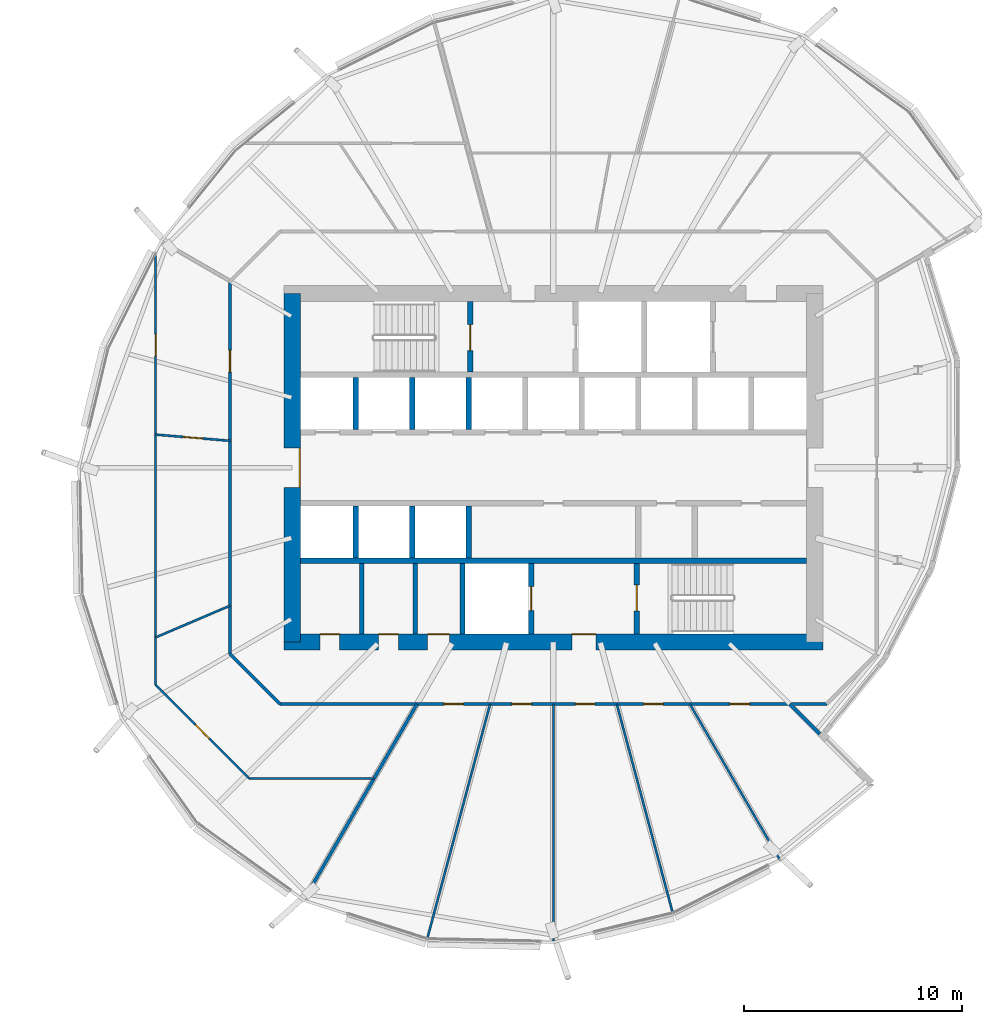
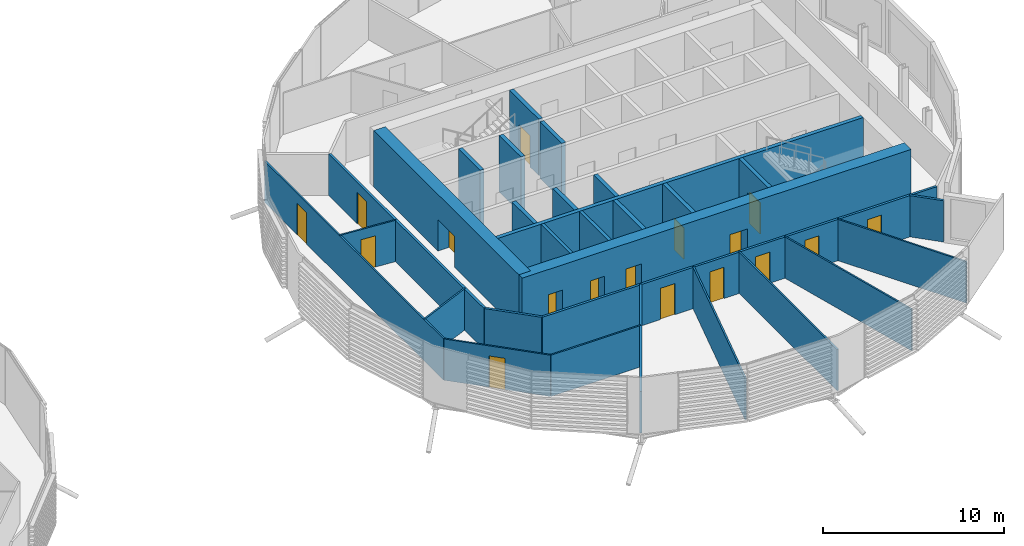
# One storey, part 23 of 38: 29 walls, 17 doors, 17 openings.
"""IFC4 building model written with IfcOpenShell, lengths in metres."""

from ifc_helpers import new_model, si_unit, direction, frame, frame_2d, origin, place, context, subcontext, project, spatial, rectangle, extrude, material, layer, layer_set, type_object, element, fill, save


model = new_model("IFC4")

# Units and contexts
model_context = context("Model", 3, precision=1e-05, world=origin(), true_north=direction((0.0, 1.0)))
body_context = subcontext(model_context, "Body", "Model", "MODEL_VIEW")
ifc_project = project(units=[si_unit("LENGTHUNIT", "METRE"), si_unit("AREAUNIT", "SQUARE_METRE"), si_unit("VOLUMEUNIT", "CUBIC_METRE"), si_unit("PLANEANGLEUNIT", "RADIAN"), si_unit("MASSUNIT", "GRAM", prefix="KILO")], contexts=[model_context])

# Site, building, storey
site_placement = place(None, origin())
site = spatial("IfcSite", under=ifc_project, at=site_placement, CompositionType="ELEMENT")
building_placement = place(site_placement, origin())
building = spatial("IfcBuilding", under=site, at=building_placement, Name="Rimbun Link Towers", CompositionType="ELEMENT")
storey_placement = place(building_placement, frame((0.0, 0.0, 119.60009765625)))
storey = spatial("IfcBuildingStorey", under=building, at=storey_placement, Name="L29", CompositionType="ELEMENT", Elevation=119.60009765625)

# Walls
ifc_material_1 = material(Name="Masonry blockwork", Category="masonry")
ifc_layer_1 = layer(ifc_material_1, 0.199951171875)
ifc_layer_set_1 = layer_set([ifc_layer_1], Name="Core partition 200")
wall_type_1 = type_object("IfcWallType", Name="Core partition 200", PredefinedType="PARTITIONING", material=ifc_layer_set_1)
for number, where, z_axis, x_axis, name in (
    (1, (22.949951171875, -4.39990234375, 0.0), (0.0, 0.0, 1.0), (0.0, -1.0, 0.0), "L29 T2 core wall C1"),
    (2, (25.39990234375, -4.39990234375, 0.0), (0.0, 0.0, 1.0), (0.0, -1.0, 0.0), "L29 T2 core wall C2"),
):
    element("IfcWall", number, at=place(storey_placement, frame(where, z_axis=z_axis, x_axis=x_axis)), inside=storey, type_object=wall_type_1, Name=name, PredefinedType="PARTITIONING", context=body_context, shape_type="SweptSolid", body=[
        extrude(rectangle(XDim=3.22509765625, YDim=0.199951171875, at=frame_2d((1.612548828125, 0.0))), origin(), (0.0, 0.0, 1.0), 3.7998046875),
    ])

# Wall, openings, doors
ifc_material_2 = material(Name="Concrete C60/75", Category="concrete")
ifc_layer_2 = layer(ifc_material_2, 0.75)
ifc_layer_set_2 = layer_set([ifc_layer_2], Name="Core shear wall 750")
wall_type_2 = type_object("IfcWallType", Name="Core shear wall 750", PredefinedType="SHEAR", material=ifc_layer_set_2)
wall_1_placement = place(storey_placement, frame((19.375, -8.0, 0.0), z_axis=(0.0, 0.0, 1.0), x_axis=(1.0, 0.0, 0.0)))
wall_1 = element("IfcWall", 3, at=wall_1_placement, inside=storey, type_object=wall_type_2, Name="L29 T2 core wall S", PredefinedType="SHEAR", context=body_context, shape_type="SweptSolid", body=[
    extrude(rectangle(XDim=24.75, YDim=0.75, at=frame_2d((12.375, 0.0))), origin(), (0.0, 0.0, 1.0), 3.7998046875),
])
opening_1_placement = place(wall_1_placement, frame((13.22509765625, 0.0, 0.0)))
opening_1 = element("IfcOpeningElement", 4, at=opening_1_placement, cuts=wall_1, Name="Opening C2DCF01S", PredefinedType="OPENING", context=body_context, shape_type="SweptSolid", body=[
    extrude(rectangle(XDim=1.10009765625, YDim=2.10009765625, at=frame_2d((0.550048828125, 1.050048828125))), frame((0.0, 0.385009765625, 0.0), z_axis=(0.0, -1.0, 0.0), x_axis=(1.0, 0.0, 0.0)), (0.0, 0.0, 1.0), 0.77001953125),
])
opening_2_placement = place(wall_1_placement, frame((1.66259765625, 0.0, 0.0)))
opening_2 = element("IfcOpeningElement", 5, at=opening_2_placement, cuts=wall_1, Name="Opening C2DWC02S", PredefinedType="OPENING", context=body_context, shape_type="SweptSolid", body=[
    extrude(rectangle(XDim=0.89990234375, YDim=2.10009765625, at=frame_2d((0.449951171875, 1.050048828125))), frame((0.0, 0.385009765625, 0.0), z_axis=(0.0, -1.0, 0.0), x_axis=(1.0, 0.0, 0.0)), (0.0, 0.0, 1.0), 0.77001953125),
])
opening_3_placement = place(wall_1_placement, frame((4.35009765625, 0.0, 0.0)))
opening_3 = element("IfcOpeningElement", 6, at=opening_3_placement, cuts=wall_1, Name="Opening C2DWC03S", PredefinedType="OPENING", context=body_context, shape_type="SweptSolid", body=[
    extrude(rectangle(XDim=0.89990234375, YDim=2.10009765625, at=frame_2d((0.449951171875, 1.050048828125))), frame((0.0, 0.385009765625, 0.0), z_axis=(0.0, -1.0, 0.0), x_axis=(1.0, 0.0, 0.0)), (0.0, 0.0, 1.0), 0.77001953125),
])
opening_4_placement = place(wall_1_placement, frame((6.60009765625, 0.0, 0.0)))
opening_4 = element("IfcOpeningElement", 7, at=opening_4_placement, cuts=wall_1, Name="Opening C2DAW04S", PredefinedType="OPENING", context=body_context, shape_type="SweptSolid", body=[
    extrude(rectangle(XDim=1.0, YDim=2.10009765625, at=frame_2d((0.5, 1.050048828125))), frame((0.0, 0.385009765625, 0.0), z_axis=(0.0, -1.0, 0.0), x_axis=(1.0, 0.0, 0.0)), (0.0, 0.0, 1.0), 0.77001953125),
])
ifc_material_3 = material(Name="Timber", Category="wood")
door_type_1 = type_object("IfcDoorType", Name="Accessible WC door", OperationType="SINGLE_SWING_LEFT", PredefinedType="DOOR", material=ifc_material_3)
door_1_placement = place(opening_4_placement, origin())
door_1 = element("IfcDoor", 8, at=door_1_placement, inside=storey, type_object=door_type_1, Name="L29 T2 accessible wc door", OperationType="SINGLE_SWING_RIGHT", OverallHeight=2.10009765625, OverallWidth=1.0, PredefinedType="DOOR", context=body_context, shape_type="SweptSolid", body=[
    extrude(rectangle(XDim=1.0, YDim=2.10009765625, at=frame_2d((0.5, 1.050048828125))), frame((0.0, 0.375, 0.0), z_axis=(0.0, -1.0, 0.0), x_axis=(1.0, 0.0, 0.0)), (0.0, 0.0, 1.0), 0.050048828125),
])
fill(opening_4, door_1)
ifc_material_4 = material(Name="Steel fire door set", Category="steel")
door_type_2 = type_object("IfcDoorType", Name="Core fire door single", OperationType="SINGLE_SWING_LEFT", PredefinedType="DOOR", material=ifc_material_4)
door_2_placement = place(opening_1_placement, origin())
door_2 = element("IfcDoor", 9, at=door_2_placement, inside=storey, type_object=door_type_2, Name="L29 T2 firefighting lobby s door", OperationType="SINGLE_SWING_RIGHT", OverallHeight=2.10009765625, OverallWidth=1.10009765625, PredefinedType="DOOR", context=body_context, shape_type="SweptSolid", body=[
    extrude(rectangle(XDim=1.10009765625, YDim=2.10009765625, at=frame_2d((0.550048828125, 1.050048828125))), frame((0.0, 0.375, 0.0), z_axis=(0.0, -1.0, 0.0), x_axis=(1.0, 0.0, 0.0)), (0.0, 0.0, 1.0), 0.050048828125),
])
fill(opening_1, door_2)
ifc_material_5 = material(Name="Timber", Category="wood")
door_type_3 = type_object("IfcDoorType", Name="WC door", OperationType="SINGLE_SWING_LEFT", PredefinedType="DOOR", material=ifc_material_5)
door_3_placement = place(opening_2_placement, origin())
door_3 = element("IfcDoor", 10, at=door_3_placement, inside=storey, type_object=door_type_3, Name="L29 T2 male wc door", OperationType="SINGLE_SWING_RIGHT", OverallHeight=2.10009765625, OverallWidth=0.89990234375, PredefinedType="DOOR", context=body_context, shape_type="SweptSolid", body=[
    extrude(rectangle(XDim=0.89990234375, YDim=2.10009765625, at=frame_2d((0.449951171875, 1.050048828125))), frame((0.0, 0.375, 0.0), z_axis=(0.0, -1.0, 0.0), x_axis=(1.0, 0.0, 0.0)), (0.0, 0.0, 1.0), 0.050048828125),
])
fill(opening_2, door_3)
door_4_placement = place(opening_3_placement, origin())
door_4 = element("IfcDoor", 11, at=door_4_placement, inside=storey, type_object=door_type_3, Name="L29 T2 female wc door", OperationType="SINGLE_SWING_LEFT", OverallHeight=2.10009765625, OverallWidth=0.89990234375, PredefinedType="DOOR", context=body_context, shape_type="SweptSolid", body=[
    extrude(rectangle(XDim=0.89990234375, YDim=2.10009765625, at=frame_2d((0.449951171875, 1.050048828125))), frame((0.0, 0.375, 0.0), z_axis=(0.0, -1.0, 0.0), x_axis=(1.0, 0.0, 0.0)), (0.0, 0.0, 1.0), 0.050048828125),
])
fill(opening_3, door_4)

# Wall, opening, door
wall_2_placement = place(storey_placement, frame((19.75, -8.0, 0.0), z_axis=(0.0, 0.0, 1.0), x_axis=(0.0, 1.0, 0.0)))
wall_2 = element("IfcWall", 12, at=wall_2_placement, inside=storey, type_object=wall_type_2, Name="L29 T2 core wall W", PredefinedType="SHEAR", context=body_context, shape_type="SweptSolid", body=[
    extrude(rectangle(XDim=16.0, YDim=0.75, at=frame_2d((8.0, 0.0))), origin(), (0.0, 0.0, 1.0), 3.7998046875),
])
opening_5_placement = place(wall_2_placement, frame((7.10009765625, 0.0, 0.0)))
opening_5 = element("IfcOpeningElement", 13, at=opening_5_placement, cuts=wall_2, Name="Opening C2DCL01W", PredefinedType="OPENING", context=body_context, shape_type="SweptSolid", body=[
    extrude(rectangle(XDim=1.800048828125, YDim=2.10009765625, at=frame_2d((0.89990234375, 1.050048828125))), frame((0.0, 0.385009765625, 0.0), z_axis=(0.0, -1.0, 0.0), x_axis=(1.0, 0.0, 0.0)), (0.0, 0.0, 1.0), 0.77001953125),
])
ifc_material_6 = material(Name="Steel fire door set", Category="steel")
door_type_4 = type_object("IfcDoorType", Name="Core lobby door double", OperationType="DOUBLE_DOOR_SINGLE_SWING", PredefinedType="DOOR", material=ifc_material_6)
door_5_placement = place(opening_5_placement, origin())
door_5 = element("IfcDoor", 14, at=door_5_placement, inside=storey, type_object=door_type_4, Name="L29 T2 lift lobby door", OperationType="DOUBLE_DOOR_SINGLE_SWING", OverallHeight=2.10009765625, OverallWidth=1.800048828125, PredefinedType="DOOR", context=body_context, shape_type="SweptSolid", body=[
    extrude(rectangle(XDim=1.800048828125, YDim=2.10009765625, at=frame_2d((0.89990234375, 1.050048828125))), frame((0.0, -0.3251953125, 0.0), z_axis=(0.0, -1.0, 0.0), x_axis=(1.0, 0.0, 0.0)), (0.0, 0.0, 1.0), 0.050048828125),
])
fill(opening_5, door_5)

# Wall, openings, doors
ifc_material_7 = material(Name="Plasterboard on steel stud, mineral wool", Category="steel")
ifc_layer_3 = layer(ifc_material_7, 0.14990234375)
ifc_layer_set_3 = layer_set([ifc_layer_3], Name="Corridor wall EI 30 150 mm")
wall_type_3 = type_object("IfcWallType", Name="Corridor wall EI 30 150 mm", PredefinedType="PARTITIONING", material=ifc_layer_set_3)
wall_3_placement = place(storey_placement, frame((44.3017578125, -10.85009765625, 0.0), z_axis=(0.0, 0.0, 1.0), x_axis=(-1.0, 0.0, 0.0)))
wall_3 = element("IfcWall", 15, at=wall_3_placement, inside=storey, type_object=wall_type_3, Name="Corridor wall EI 30 150 mm", PredefinedType="PARTITIONING", context=body_context, shape_type="SweptSolid", body=[
    extrude(rectangle(XDim=25.103515625, YDim=0.14990234375, at=frame_2d((12.5517578125, 0.0))), origin(), (0.0, 0.0, 1.0), 2.77880859375),
])
opening_6_placement = place(wall_3_placement, frame((16.6875, 0.0, 0.0)))
opening_6 = element("IfcOpeningElement", 16, at=opening_6_placement, cuts=wall_3, Name="Opening D02", PredefinedType="OPENING", context=body_context, shape_type="SweptSolid", body=[
    extrude(rectangle(XDim=0.89990234375, YDim=2.10009765625, at=frame_2d((0.449951171875, 1.050048828125))), frame((0.0, 0.0849609375, 0.0), z_axis=(0.0, -1.0, 0.0), x_axis=(1.0, 0.0, 0.0)), (0.0, 0.0, 1.0), 0.169921875),
])
opening_7_placement = place(wall_3_placement, frame((13.555419921875, 0.0, 0.0)))
opening_7 = element("IfcOpeningElement", 17, at=opening_7_placement, cuts=wall_3, Name="Opening D02", PredefinedType="OPENING", context=body_context, shape_type="SweptSolid", body=[
    extrude(rectangle(XDim=0.89990234375, YDim=2.10009765625, at=frame_2d((0.449951171875, 1.050048828125))), frame((0.0, 0.0849609375, 0.0), z_axis=(0.0, -1.0, 0.0), x_axis=(1.0, 0.0, 0.0)), (0.0, 0.0, 1.0), 0.169921875),
])
opening_8_placement = place(wall_3_placement, frame((10.648193359375, 0.0, 0.0)))
opening_8 = element("IfcOpeningElement", 18, at=opening_8_placement, cuts=wall_3, Name="Opening D02", PredefinedType="OPENING", context=body_context, shape_type="SweptSolid", body=[
    extrude(rectangle(XDim=0.89990234375, YDim=2.10009765625, at=frame_2d((0.449951171875, 1.050048828125))), frame((0.0, 0.0849609375, 0.0), z_axis=(0.0, -1.0, 0.0), x_axis=(1.0, 0.0, 0.0)), (0.0, 0.0, 1.0), 0.169921875),
])
opening_9_placement = place(wall_3_placement, frame((7.515869140625, 0.0, 0.0)))
opening_9 = element("IfcOpeningElement", 19, at=opening_9_placement, cuts=wall_3, Name="Opening D02", PredefinedType="OPENING", context=body_context, shape_type="SweptSolid", body=[
    extrude(rectangle(XDim=0.89990234375, YDim=2.10009765625, at=frame_2d((0.449951171875, 1.050048828125))), frame((0.0, 0.0849609375, 0.0), z_axis=(0.0, -1.0, 0.0), x_axis=(1.0, 0.0, 0.0)), (0.0, 0.0, 1.0), 0.169921875),
])
opening_10_placement = place(wall_3_placement, frame((3.544677734375, 0.0, 0.0)))
opening_10 = element("IfcOpeningElement", 20, at=opening_10_placement, cuts=wall_3, Name="Opening D02", PredefinedType="OPENING", context=body_context, shape_type="SweptSolid", body=[
    extrude(rectangle(XDim=0.89990234375, YDim=2.10009765625, at=frame_2d((0.449951171875, 1.050048828125))), frame((0.0, 0.0849609375, 0.0), z_axis=(0.0, -1.0, 0.0), x_axis=(1.0, 0.0, 0.0)), (0.0, 0.0, 1.0), 0.169921875),
])
ifc_material_8 = material(Name="Fire-resisting timber door leaf", Category="wood")
door_type_5 = type_object("IfcDoorType", Name="Fire door FD30S 900", OperationType="NOTDEFINED", PredefinedType="DOOR", material=ifc_material_8)
door_6_placement = place(opening_6_placement, origin())
door_6 = element("IfcDoor", 21, at=door_6_placement, inside=storey, type_object=door_type_5, Name="Fire door FD30S 900 to Cellular office", OperationType="SINGLE_SWING_RIGHT", OverallHeight=2.10009765625, OverallWidth=0.89990234375, PredefinedType="DOOR", context=body_context, shape_type="SweptSolid", body=[
    extrude(rectangle(XDim=0.89990234375, YDim=2.10009765625, at=frame_2d((0.449951171875, 1.050048828125))), frame((0.0, 0.02490234375, 0.0), z_axis=(0.0, -1.0, 0.0), x_axis=(1.0, 0.0, 0.0)), (0.0, 0.0, 1.0), 0.050048828125),
])
fill(opening_6, door_6)
door_7_placement = place(opening_7_placement, origin())
door_7 = element("IfcDoor", 22, at=door_7_placement, inside=storey, type_object=door_type_5, Name="Fire door FD30S 900 to Cellular office", OperationType="SINGLE_SWING_LEFT", OverallHeight=2.10009765625, OverallWidth=0.89990234375, PredefinedType="DOOR", context=body_context, shape_type="SweptSolid", body=[
    extrude(rectangle(XDim=0.89990234375, YDim=2.10009765625, at=frame_2d((0.449951171875, 1.050048828125))), frame((0.0, 0.02490234375, 0.0), z_axis=(0.0, -1.0, 0.0), x_axis=(1.0, 0.0, 0.0)), (0.0, 0.0, 1.0), 0.050048828125),
])
fill(opening_7, door_7)
door_8_placement = place(opening_8_placement, origin())
door_8 = element("IfcDoor", 23, at=door_8_placement, inside=storey, type_object=door_type_5, Name="Fire door FD30S 900 to Cellular office", OperationType="SINGLE_SWING_RIGHT", OverallHeight=2.10009765625, OverallWidth=0.89990234375, PredefinedType="DOOR", context=body_context, shape_type="SweptSolid", body=[
    extrude(rectangle(XDim=0.89990234375, YDim=2.10009765625, at=frame_2d((0.449951171875, 1.050048828125))), frame((0.0, 0.02490234375, 0.0), z_axis=(0.0, -1.0, 0.0), x_axis=(1.0, 0.0, 0.0)), (0.0, 0.0, 1.0), 0.050048828125),
])
fill(opening_8, door_8)
door_9_placement = place(opening_9_placement, origin())
door_9 = element("IfcDoor", 24, at=door_9_placement, inside=storey, type_object=door_type_5, Name="Fire door FD30S 900 to Cellular office", OperationType="SINGLE_SWING_LEFT", OverallHeight=2.10009765625, OverallWidth=0.89990234375, PredefinedType="DOOR", context=body_context, shape_type="SweptSolid", body=[
    extrude(rectangle(XDim=0.89990234375, YDim=2.10009765625, at=frame_2d((0.449951171875, 1.050048828125))), frame((0.0, 0.02490234375, 0.0), z_axis=(0.0, -1.0, 0.0), x_axis=(1.0, 0.0, 0.0)), (0.0, 0.0, 1.0), 0.050048828125),
])
fill(opening_9, door_9)
door_10_placement = place(opening_10_placement, origin())
door_10 = element("IfcDoor", 25, at=door_10_placement, inside=storey, type_object=door_type_5, Name="Fire door FD30S 900 to Meeting room", OperationType="SINGLE_SWING_RIGHT", OverallHeight=2.10009765625, OverallWidth=0.89990234375, PredefinedType="DOOR", context=body_context, shape_type="SweptSolid", body=[
    extrude(rectangle(XDim=0.89990234375, YDim=2.10009765625, at=frame_2d((0.449951171875, 1.050048828125))), frame((0.0, 0.02490234375, 0.0), z_axis=(0.0, -1.0, 0.0), x_axis=(1.0, 0.0, 0.0)), (0.0, 0.0, 1.0), 0.050048828125),
])
fill(opening_10, door_10)

# Wall
wall_4_placement = place(storey_placement, frame((16.89990234375, -8.5517578125, 0.0), z_axis=(0.0, 0.0, 1.0), x_axis=(0.707106781187, -0.707106781187, 0.0)))
element("IfcWall", 26, at=wall_4_placement, inside=storey, type_object=wall_type_3, Name="Corridor wall EI 30 150 mm", PredefinedType="PARTITIONING", context=body_context, shape_type="SweptSolid", body=[
    extrude(rectangle(XDim=3.250244140625, YDim=0.14990234375, at=frame_2d((1.625, 0.0))), origin(), (0.0, 0.0, 1.0), 2.77880859375),
])

# Wall, opening, door
wall_5_placement = place(storey_placement, frame((16.89990234375, -8.5517578125, 0.0), z_axis=(0.0, 0.0, 1.0), x_axis=(0.0, 1.0, 0.0)))
wall_5 = element("IfcWall", 27, at=wall_5_placement, inside=storey, type_object=wall_type_3, Name="Corridor wall EI 30 150 mm", PredefinedType="PARTITIONING", context=body_context, shape_type="SweptSolid", body=[
    extrude(rectangle(XDim=17.103515625, YDim=0.14990234375, at=frame_2d((8.5517578125, 0.0))), origin(), (0.0, 0.0, 1.0), 2.77880859375),
])
opening_11_placement = place(wall_5_placement, frame((12.9453125, 0.0, 0.0)))
opening_11 = element("IfcOpeningElement", 28, at=opening_11_placement, cuts=wall_5, Name="Opening D01", PredefinedType="OPENING", context=body_context, shape_type="SweptSolid", body=[
    extrude(rectangle(XDim=1.0, YDim=2.10009765625, at=frame_2d((0.5, 1.050048828125))), frame((0.0, 0.0849609375, 0.0), z_axis=(0.0, -1.0, 0.0), x_axis=(1.0, 0.0, 0.0)), (0.0, 0.0, 1.0), 0.169921875),
])
ifc_material_9 = material(Name="Fire-resisting timber door leaf", Category="wood")
door_type_6 = type_object("IfcDoorType", Name="Fire door FD30S 1000", OperationType="NOTDEFINED", PredefinedType="DOOR", material=ifc_material_9)
door_11_placement = place(opening_11_placement, origin())
door_11 = element("IfcDoor", 29, at=door_11_placement, inside=storey, type_object=door_type_6, Name="Fire door FD30S 1000 to Reception", OperationType="SINGLE_SWING_LEFT", OverallHeight=2.10009765625, OverallWidth=1.0, PredefinedType="DOOR", context=body_context, shape_type="SweptSolid", body=[
    extrude(rectangle(XDim=1.0, YDim=2.10009765625, at=frame_2d((0.5, 1.050048828125))), frame((0.0, 0.02490234375, 0.0), z_axis=(0.0, -1.0, 0.0), x_axis=(1.0, 0.0, 0.0)), (0.0, 0.0, 1.0), 0.050048828125),
])
fill(opening_11, door_11)

ifc_material_10 = material(Name="Plasterboard on steel stud", Category="steel")
ifc_layer_4 = layer(ifc_material_10, 0.10009765625)
ifc_layer_set_4 = layer_set([ifc_layer_4], Name="Plasterboard partition 100 mm")
wall_type_4 = type_object("IfcWallType", Name="Plasterboard partition 100 mm", PredefinedType="PARTITIONING", material=ifc_layer_set_4)
wall_6_placement = place(storey_placement, frame((16.89990234375, 1.23583984375, 0.0), z_axis=(0.0, 0.0, 1.0), x_axis=(-0.996553603916, 0.082951277996, 0.0)))
wall_6 = element("IfcWall", 30, at=wall_6_placement, inside=storey, type_object=wall_type_4, Name="Plasterboard partition 100 mm", PredefinedType="PARTITIONING", context=body_context, shape_type="SweptSolid", body=[
    extrude(rectangle(XDim=3.431640625, YDim=0.10009765625, at=frame_2d((1.7158203125, 0.0))), origin(), (0.0, 0.0, 1.0), 2.77880859375),
])
opening_12_placement = place(wall_6_placement, frame((1.265869140625, 0.0, 0.0)))
opening_12 = element("IfcOpeningElement", 31, at=opening_12_placement, cuts=wall_6, Name="Opening D04", PredefinedType="OPENING", context=body_context, shape_type="SweptSolid", body=[
    extrude(rectangle(XDim=0.89990234375, YDim=2.10009765625, at=frame_2d((0.449951171875, 1.050048828125))), frame((0.0, 0.06005859375, 0.0), z_axis=(0.0, -1.0, 0.0), x_axis=(1.0, 0.0, 0.0)), (0.0, 0.0, 1.0), 0.1201171875),
])
ifc_material_11 = material(Name="Timber door leaf", Category="wood")
door_type_7 = type_object("IfcDoorType", Name="Flush door 900", OperationType="NOTDEFINED", PredefinedType="DOOR", material=ifc_material_11)
door_12_placement = place(opening_12_placement, origin())
door_12 = element("IfcDoor", 32, at=door_12_placement, inside=storey, type_object=door_type_7, Name="Flush door 900 to Meeting room", OperationType="SINGLE_SWING_LEFT", OverallHeight=2.10009765625, OverallWidth=0.89990234375, PredefinedType="DOOR", context=body_context, shape_type="SweptSolid", body=[
    extrude(rectangle(XDim=0.89990234375, YDim=2.10009765625, at=frame_2d((0.449951171875, 1.050048828125))), frame((0.0, 0.02490234375, 0.0), z_axis=(0.0, -1.0, 0.0), x_axis=(1.0, 0.0, 0.0)), (0.0, 0.0, 1.0), 0.050048828125),
])
fill(opening_12, door_12)

wall_7_placement = place(storey_placement, frame((13.47998046875, -9.96826171875, 0.0), z_axis=(0.0, 0.0, 1.0), x_axis=(0.0, 1.0, 0.0)))
wall_7 = element("IfcWall", 33, at=wall_7_placement, inside=storey, type_object=wall_type_4, Name="Plasterboard partition 100 mm", PredefinedType="PARTITIONING", context=body_context, shape_type="SweptSolid", body=[
    extrude(rectangle(XDim=19.724609375, YDim=0.10009765625, at=frame_2d((9.8623046875, 0.0))), origin(), (0.0, 0.0, 1.0), 2.77880859375),
])
opening_13_placement = place(wall_7_placement, frame((15.091552734375, 0.0, 0.0)))
opening_13 = element("IfcOpeningElement", 34, at=opening_13_placement, cuts=wall_7, Name="Opening D03", PredefinedType="OPENING", context=body_context, shape_type="SweptSolid", body=[
    extrude(rectangle(XDim=1.0, YDim=2.10009765625, at=frame_2d((0.5, 1.050048828125))), frame((0.0, 0.06005859375, 0.0), z_axis=(0.0, -1.0, 0.0), x_axis=(1.0, 0.0, 0.0)), (0.0, 0.0, 1.0), 0.1201171875),
])
ifc_material_12 = material(Name="Timber door leaf", Category="wood")
door_type_8 = type_object("IfcDoorType", Name="Flush door 1000", OperationType="NOTDEFINED", PredefinedType="DOOR", material=ifc_material_12)
door_13_placement = place(opening_13_placement, origin())
door_13 = element("IfcDoor", 35, at=door_13_placement, inside=storey, type_object=door_type_8, Name="Flush door 1000 to Open office", OperationType="SINGLE_SWING_RIGHT", OverallHeight=2.10009765625, OverallWidth=1.0, PredefinedType="DOOR", context=body_context, shape_type="SweptSolid", body=[
    extrude(rectangle(XDim=1.0, YDim=2.10009765625, at=frame_2d((0.5, 1.050048828125))), frame((0.0, 0.02490234375, 0.0), z_axis=(0.0, -1.0, 0.0), x_axis=(1.0, 0.0, 0.0)), (0.0, 0.0, 1.0), 0.050048828125),
])
fill(opening_13, door_13)

# Wall
wall_8_placement = place(storey_placement, frame((13.47998046875, -7.793701171875, 0.0), z_axis=(0.0, 0.0, 1.0), x_axis=(0.919795864037, 0.392397207559, 0.0)))
element("IfcWall", 36, at=wall_8_placement, inside=storey, type_object=wall_type_4, Name="Plasterboard partition 100 mm", PredefinedType="PARTITIONING", context=body_context, shape_type="SweptSolid", body=[
    extrude(rectangle(XDim=3.718017578125, YDim=0.10009765625, at=frame_2d((1.85888671875, 0.0))), origin(), (0.0, 0.0, 1.0), 2.77880859375),
])

# Wall, opening, door
wall_9_placement = place(storey_placement, frame((13.47998046875, -9.96826171875, 0.0), z_axis=(0.0, 0.0, 1.0), x_axis=(0.707106781187, -0.707106781187, 0.0)))
wall_9 = element("IfcWall", 37, at=wall_9_placement, inside=storey, type_object=wall_type_4, Name="Plasterboard partition 100 mm", PredefinedType="PARTITIONING", context=body_context, shape_type="SweptSolid", body=[
    extrude(rectangle(XDim=6.08349609375, YDim=0.10009765625, at=frame_2d((3.041748046875, 0.0))), origin(), (0.0, 0.0, 1.0), 2.77880859375),
])
opening_14_placement = place(wall_9_placement, frame((2.591796875, 0.0, 0.0)))
opening_14 = element("IfcOpeningElement", 38, at=opening_14_placement, cuts=wall_9, Name="Opening D04", PredefinedType="OPENING", context=body_context, shape_type="SweptSolid", body=[
    extrude(rectangle(XDim=0.89990234375, YDim=2.10009765625, at=frame_2d((0.449951171875, 1.050048828125))), frame((0.0, 0.06005859375, 0.0), z_axis=(0.0, -1.0, 0.0), x_axis=(1.0, 0.0, 0.0)), (0.0, 0.0, 1.0), 0.1201171875),
])
door_14_placement = place(opening_14_placement, origin())
door_14 = element("IfcDoor", 39, at=door_14_placement, inside=storey, type_object=door_type_7, Name="Flush door 900 to Print room", OperationType="SINGLE_SWING_LEFT", OverallHeight=2.10009765625, OverallWidth=0.89990234375, PredefinedType="DOOR", context=body_context, shape_type="SweptSolid", body=[
    extrude(rectangle(XDim=0.89990234375, YDim=2.10009765625, at=frame_2d((0.449951171875, 1.050048828125))), frame((0.0, 0.02490234375, 0.0), z_axis=(0.0, -1.0, 0.0), x_axis=(1.0, 0.0, 0.0)), (0.0, 0.0, 1.0), 0.050048828125),
])
fill(opening_14, door_14)

# Walls
wall_10_placement = place(storey_placement, frame((17.78173828125, -14.27001953125, 0.0), z_axis=(0.0, 0.0, 1.0), x_axis=(1.0, 0.0, 0.0)))
element("IfcWall", 40, at=wall_10_placement, inside=storey, type_object=wall_type_4, Name="Plasterboard partition 100 mm", PredefinedType="PARTITIONING", context=body_context, shape_type="SweptSolid", body=[
    extrude(rectangle(XDim=5.7294921875, YDim=0.10009765625, at=frame_2d((2.86474609375, 0.0))), origin(), (0.0, 0.0, 1.0), 2.77880859375),
])
wall_11_placement = place(storey_placement, frame((25.960205078125, -21.6083984375, 0.0), z_axis=(0.0, 0.0, 1.0), x_axis=(0.258809859966, 0.965928287392, 0.0)))
element("IfcWall", 41, at=wall_11_placement, inside=storey, type_object=wall_type_4, Name="Plasterboard partition 100 mm", PredefinedType="PARTITIONING", context=body_context, shape_type="SweptSolid", body=[
    extrude(rectangle(XDim=11.1376953125, YDim=0.10009765625, at=frame_2d((5.56884765625, 0.0))), origin(), (0.0, 0.0, 1.0), 2.77880859375),
])
wall_12_placement = place(storey_placement, frame((31.75, -21.730224609375, 0.0), z_axis=(0.0, 0.0, 1.0), x_axis=(0.0, 1.0, 0.0)))
element("IfcWall", 42, at=wall_12_placement, inside=storey, type_object=wall_type_4, Name="Plasterboard partition 100 mm", PredefinedType="PARTITIONING", context=body_context, shape_type="SweptSolid", body=[
    extrude(rectangle(XDim=10.880126953125, YDim=0.10009765625, at=frame_2d((5.43994140625, 0.0))), origin(), (0.0, 0.0, 1.0), 2.77880859375),
])
wall_13_placement = place(storey_placement, frame((37.221923828125, -20.421630859375, 0.0), z_axis=(0.0, 0.0, 1.0), x_axis=(-0.258820238395, 0.965925506547, 0.0)))
element("IfcWall", 43, at=wall_13_placement, inside=storey, type_object=wall_type_4, Name="Plasterboard partition 100 mm", PredefinedType="PARTITIONING", context=body_context, shape_type="SweptSolid", body=[
    extrude(rectangle(XDim=9.9091796875, YDim=0.10009765625, at=frame_2d((4.95458984375, 0.0))), origin(), (0.0, 0.0, 1.0), 2.77880859375),
])
wall_14_placement = place(storey_placement, frame((42.1201171875, -17.961669921875, 0.0), z_axis=(0.0, 0.0, 1.0), x_axis=(-0.499985818453, 0.866033591349, 0.0)))
element("IfcWall", 44, at=wall_14_placement, inside=storey, type_object=wall_type_4, Name="Plasterboard partition 100 mm", PredefinedType="PARTITIONING", context=body_context, shape_type="SweptSolid", body=[
    extrude(rectangle(XDim=8.211669921875, YDim=0.10009765625, at=frame_2d((4.10595703125, 0.0))), origin(), (0.0, 0.0, 1.0), 2.77880859375),
])
ifc_material_13 = material(Name="Concrete C60/75", Category="concrete")
ifc_layer_5 = layer(ifc_material_13, 0.25)
ifc_layer_set_5 = layer_set([ifc_layer_5], Name="Shaft wall 250")
wall_type_5 = type_object("IfcWallType", Name="Shaft wall 250", PredefinedType="SHEAR", material=ifc_layer_set_5)
wall_15_placement = place(storey_placement, frame((20.125, -4.27490234375, 0.0), z_axis=(0.0, 0.0, 1.0), x_axis=(1.0, 0.0, 0.0)))
element("IfcWall", 45, at=wall_15_placement, inside=storey, type_object=wall_type_5, Name="L29 T2 core wall BS", PredefinedType="SHEAR", context=body_context, shape_type="SweptSolid", body=[
    extrude(rectangle(XDim=23.25, YDim=0.25, at=frame_2d((11.625, 0.0))), origin(), (0.0, 0.0, 1.0), 3.7998046875),
])
for number, where, z_axis, x_axis, name in (
    (46, (22.66943359375, 1.75, 0.0), (0.0, 0.0, 1.0), (0.0, 1.0, 0.0), "L29 T2 core wall DN0"),
    (47, (25.263916015625, 1.75, 0.0), (0.0, 0.0, 1.0), (0.0, 1.0, 0.0), "L29 T2 core wall DN1"),
    (48, (27.8583984375, 1.75, 0.0), (0.0, 0.0, 1.0), (0.0, 1.0, 0.0), "L29 T2 core wall DN2"),
    (49, (22.66943359375, -4.14990234375, 0.0), (0.0, 0.0, 1.0), (0.0, 1.0, 0.0), "L29 T2 core wall DS0"),
    (50, (25.263916015625, -4.14990234375, 0.0), (0.0, 0.0, 1.0), (0.0, 1.0, 0.0), "L29 T2 core wall DS1"),
    (51, (27.8583984375, -4.14990234375, 0.0), (0.0, 0.0, 1.0), (0.0, 1.0, 0.0), "L29 T2 core wall DS2"),
):
    element("IfcWall", number, at=place(storey_placement, frame(where, z_axis=z_axis, x_axis=x_axis)), inside=storey, type_object=wall_type_5, Name=name, PredefinedType="SHEAR", context=body_context, shape_type="SweptSolid", body=[
        extrude(rectangle(XDim=2.39990234375, YDim=0.25, at=frame_2d((1.199951171875, 0.0))), origin(), (0.0, 0.0, 1.0), 3.7998046875),
    ])

# Wall, opening, door
wall_16_placement = place(storey_placement, frame((27.925048828125, 4.39990234375, 0.0), z_axis=(0.0, 0.0, 1.0), x_axis=(0.0, 1.0, 0.0)))
wall_16 = element("IfcWall", 52, at=wall_16_placement, inside=storey, type_object=wall_type_5, Name="L29 T2 core wall A1", PredefinedType="SHEAR", context=body_context, shape_type="SweptSolid", body=[
    extrude(rectangle(XDim=3.22509765625, YDim=0.25, at=frame_2d((1.612548828125, 0.0))), origin(), (0.0, 0.0, 1.0), 3.7998046875),
])
opening_15_placement = place(wall_16_placement, frame((0.97509765625, 0.0, 0.0)))
opening_15 = element("IfcOpeningElement", 53, at=opening_15_placement, cuts=wall_16, Name="Opening C2DST01A1", PredefinedType="OPENING", context=body_context, shape_type="SweptSolid", body=[
    extrude(rectangle(XDim=1.199951171875, YDim=2.10009765625, at=frame_2d((0.60009765625, 1.050048828125))), frame((0.0, 0.135009765625, 0.0), z_axis=(0.0, -1.0, 0.0), x_axis=(1.0, 0.0, 0.0)), (0.0, 0.0, 1.0), 0.27001953125),
])
ifc_material_14 = material(Name="Steel fire door set", Category="steel")
door_type_9 = type_object("IfcDoorType", Name="Stair door", OperationType="SINGLE_SWING_LEFT", PredefinedType="DOOR", material=ifc_material_14)
door_15_placement = place(opening_15_placement, origin())
door_15 = element("IfcDoor", 54, at=door_15_placement, inside=storey, type_object=door_type_9, Name="L29 T2 stair a door", OperationType="SINGLE_SWING_RIGHT", OverallHeight=2.10009765625, OverallWidth=1.199951171875, PredefinedType="DOOR", context=body_context, shape_type="SweptSolid", body=[
    extrude(rectangle(XDim=1.199951171875, YDim=2.10009765625, at=frame_2d((0.60009765625, 1.050048828125))), frame((0.0, 0.02490234375, 0.0), z_axis=(0.0, -1.0, 0.0), x_axis=(1.0, 0.0, 0.0)), (0.0, 0.0, 1.0), 0.050048828125),
])
fill(opening_15, door_15)

wall_17_placement = place(storey_placement, frame((35.574951171875, -4.39990234375, 0.0), z_axis=(0.0, 0.0, 1.0), x_axis=(0.0, -1.0, 0.0)))
wall_17 = element("IfcWall", 55, at=wall_17_placement, inside=storey, type_object=wall_type_5, Name="L29 T2 core wall B1", PredefinedType="SHEAR", context=body_context, shape_type="SweptSolid", body=[
    extrude(rectangle(XDim=3.22509765625, YDim=0.25, at=frame_2d((1.612548828125, 0.0))), origin(), (0.0, 0.0, 1.0), 3.7998046875),
])
opening_16_placement = place(wall_17_placement, frame((0.97509765625, 0.0, 0.0)))
opening_16 = element("IfcOpeningElement", 56, at=opening_16_placement, cuts=wall_17, Name="Opening C2DST01B1", PredefinedType="OPENING", context=body_context, shape_type="SweptSolid", body=[
    extrude(rectangle(XDim=1.199951171875, YDim=2.10009765625, at=frame_2d((0.60009765625, 1.050048828125))), frame((0.0, 0.135009765625, 0.0), z_axis=(0.0, -1.0, 0.0), x_axis=(1.0, 0.0, 0.0)), (0.0, 0.0, 1.0), 0.27001953125),
])
door_16_placement = place(opening_16_placement, origin())
door_16 = element("IfcDoor", 57, at=door_16_placement, inside=storey, type_object=door_type_9, Name="L29 T2 stair b door", OperationType="SINGLE_SWING_RIGHT", OverallHeight=2.10009765625, OverallWidth=1.199951171875, PredefinedType="DOOR", context=body_context, shape_type="SweptSolid", body=[
    extrude(rectangle(XDim=1.199951171875, YDim=2.10009765625, at=frame_2d((0.60009765625, 1.050048828125))), frame((0.0, 0.02490234375, 0.0), z_axis=(0.0, -1.0, 0.0), x_axis=(1.0, 0.0, 0.0)), (0.0, 0.0, 1.0), 0.050048828125),
])
fill(opening_16, door_16)

wall_18_placement = place(storey_placement, frame((30.72509765625, -4.39990234375, 0.0), z_axis=(0.0, 0.0, 1.0), x_axis=(0.0, -1.0, 0.0)))
wall_18 = element("IfcWall", 58, at=wall_18_placement, inside=storey, type_object=wall_type_5, Name="L29 T2 core wall B2", PredefinedType="SHEAR", context=body_context, shape_type="SweptSolid", body=[
    extrude(rectangle(XDim=3.22509765625, YDim=0.25, at=frame_2d((1.612548828125, 0.0))), origin(), (0.0, 0.0, 1.0), 3.7998046875),
])
opening_17_placement = place(wall_18_placement, frame((1.0625, 0.0, 0.0)))
opening_17 = element("IfcOpeningElement", 59, at=opening_17_placement, cuts=wall_18, Name="Opening LD-T2-FF2", PredefinedType="OPENING", context=body_context, shape_type="SweptSolid", body=[
    extrude(rectangle(XDim=1.10009765625, YDim=2.10009765625, at=frame_2d((0.550048828125, 1.050048828125))), frame((0.0, 0.135009765625, 0.0), z_axis=(0.0, -1.0, 0.0), x_axis=(1.0, 0.0, 0.0)), (0.0, 0.0, 1.0), 0.27001953125),
])
ifc_material_15 = material(Name="Stainless steel grade 316", Category="steel")
door_type_10 = type_object("IfcDoorType", Name="Lift landing door", OperationType="DOUBLE_DOOR_SLIDING", PredefinedType="DOOR", material=ifc_material_15)
door_17_placement = place(opening_17_placement, origin())
door_17 = element("IfcDoor", 60, at=door_17_placement, inside=storey, type_object=door_type_10, Name="L29 T2 lift FF2 landing door", OperationType="DOUBLE_DOOR_SLIDING", OverallHeight=2.10009765625, OverallWidth=1.10009765625, PredefinedType="DOOR", context=body_context, shape_type="SweptSolid", body=[
    extrude(rectangle(XDim=1.10009765625, YDim=2.10009765625, at=frame_2d((0.550048828125, 1.050048828125))), frame((0.0, 0.02490234375, 0.0), z_axis=(0.0, -1.0, 0.0), x_axis=(1.0, 0.0, 0.0)), (0.0, 0.0, 1.0), 0.050048828125),
])
fill(opening_17, door_17)

# Walls
wall_19_placement = place(storey_placement, frame((27.574951171875, -4.39990234375, 0.0), z_axis=(0.0, 0.0, 1.0), x_axis=(0.0, -1.0, 0.0)))
element("IfcWall", 61, at=wall_19_placement, inside=storey, type_object=wall_type_5, Name="L29 T2 core wall B3", PredefinedType="SHEAR", context=body_context, shape_type="SweptSolid", body=[
    extrude(rectangle(XDim=3.22509765625, YDim=0.25, at=frame_2d((1.612548828125, 0.0))), origin(), (0.0, 0.0, 1.0), 3.7998046875),
])
ifc_material_16 = material(Name="Plasterboard on steel stud, mineral wool", Category="steel")
ifc_layer_6 = layer(ifc_material_16, 0.14990234375)
ifc_layer_set_6 = layer_set([ifc_layer_6], Name="Tenancy separation wall EI 60 150 mm")
wall_type_6 = type_object("IfcWallType", Name="Tenancy separation wall EI 60 150 mm", PredefinedType="PARTITIONING", material=ifc_layer_set_6)
wall_20_placement = place(storey_placement, frame((25.48583984375, -10.85009765625, 0.0), z_axis=(0.0, 0.0, 1.0), x_axis=(-0.50001108209, -0.866019005442, 0.0)))
element("IfcWall", 62, at=wall_20_placement, inside=storey, type_object=wall_type_6, Name="Tenancy separation wall EI 60 150 mm", PredefinedType="PARTITIONING", context=body_context, shape_type="SweptSolid", body=[
    extrude(rectangle(XDim=10.348388671875, YDim=0.14990234375, at=frame_2d((5.17431640625, 0.0))), origin(), (0.0, 0.0, 1.0), 2.77880859375),
])
wall_21_placement = place(storey_placement, frame((42.60009765625, -10.85009765625, 0.0), z_axis=(0.0, 0.0, 1.0), x_axis=(0.707106781187, -0.707106781187, 0.0)))
element("IfcWall", 63, at=wall_21_placement, inside=storey, type_object=wall_type_6, Name="Tenancy separation wall EI 60 150 mm", PredefinedType="PARTITIONING", context=body_context, shape_type="SweptSolid", body=[
    extrude(rectangle(XDim=1.954833984375, YDim=0.14990234375, at=frame_2d((0.9775390625, 0.0))), origin(), (0.0, 0.0, 1.0), 2.77880859375),
])

save(model, "model.ifc")
